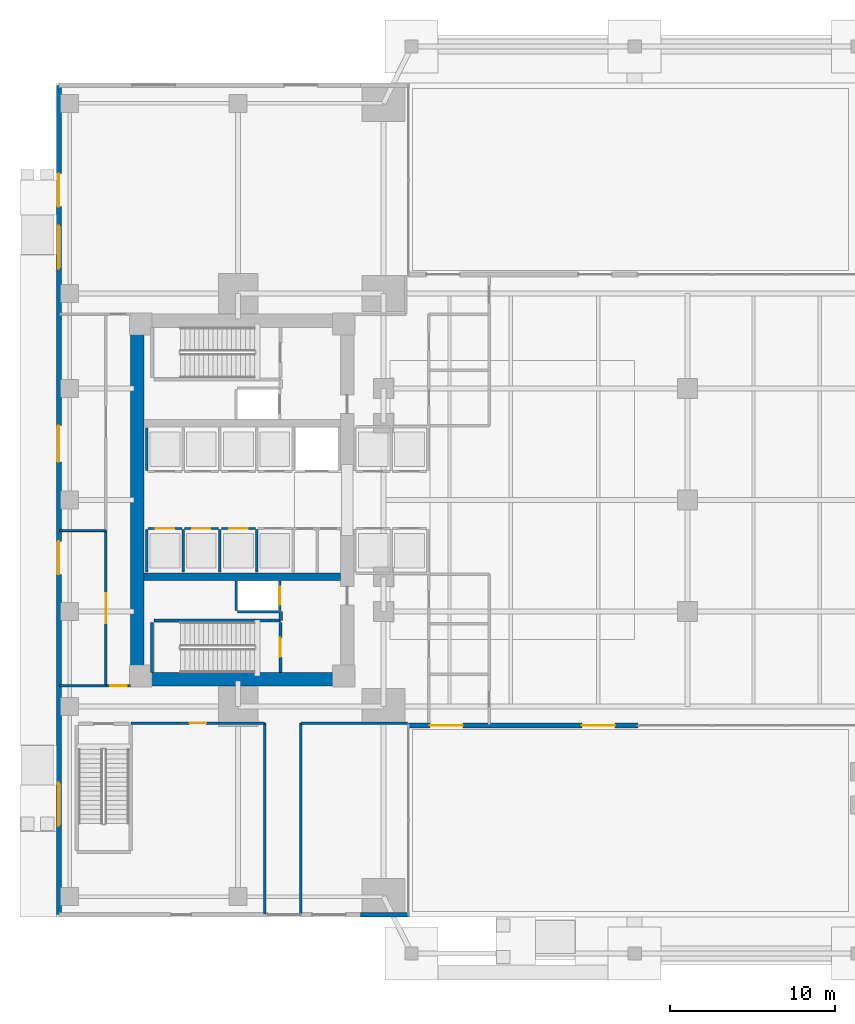
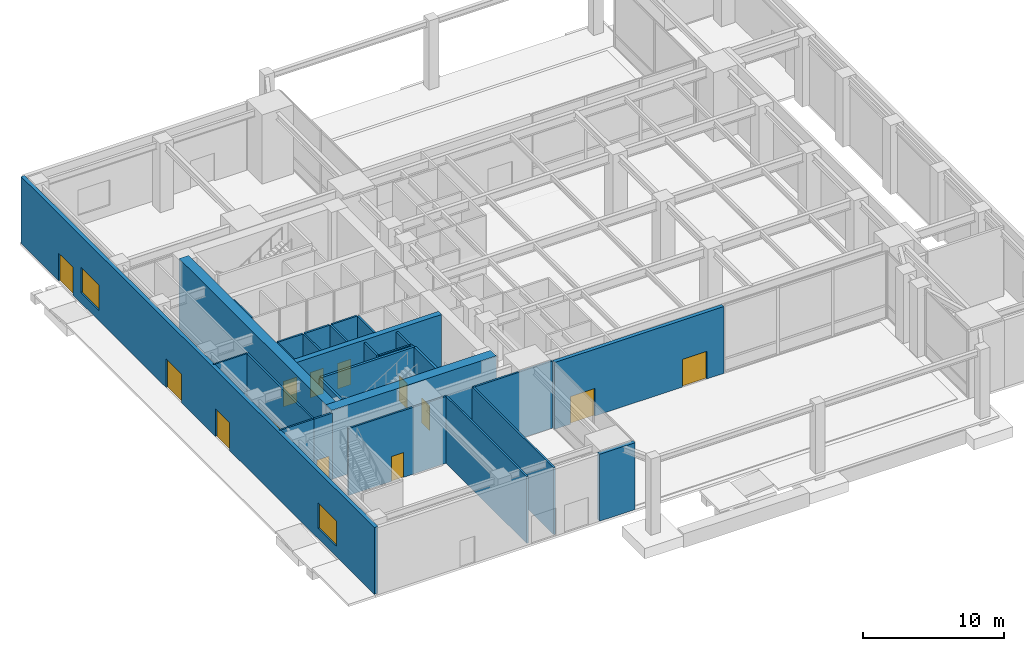
# One storey, part 9 of 17: 29 walls, 13 doors, 2 windows, 15 openings.
"""IFC4 building model written with IfcOpenShell, lengths in metres."""

from ifc_helpers import new_model, si_unit, direction, frame, frame_2d, origin, place, context, subcontext, project, spatial, rectangle, extrude, material, layer, layer_set, type_object, element, fill, save


model = new_model("IFC4")

# Units and contexts
model_context = context("Model", 3, precision=1e-05, world=origin(), true_north=direction((0.0, 1.0)))
body_context = subcontext(model_context, "Body", "Model", "MODEL_VIEW")
ifc_project = project(units=[si_unit("LENGTHUNIT", "METRE"), si_unit("AREAUNIT", "SQUARE_METRE"), si_unit("VOLUMEUNIT", "CUBIC_METRE"), si_unit("PLANEANGLEUNIT", "RADIAN"), si_unit("MASSUNIT", "GRAM", prefix="KILO")], contexts=[model_context])

# Site, building, storey
site_placement = place(None, origin())
site = spatial("IfcSite", under=ifc_project, at=site_placement, CompositionType="ELEMENT")
building_placement = place(site_placement, origin())
building = spatial("IfcBuilding", under=site, at=building_placement, Name="Kinhvarn Gate Tower", CompositionType="ELEMENT")
storey_placement = place(building_placement, origin())
storey = spatial("IfcBuildingStorey", under=building, at=storey_placement, Name="L00", CompositionType="ELEMENT", Elevation=0.0)

# Walls
ifc_material_1 = material(Name="Concrete C50/60", Category="concrete")
ifc_layer_1 = layer(ifc_material_1, 0.449951171875)
ifc_layer_set_1 = layer_set([ifc_layer_1], Name="Concrete C50/60")
wall_type_1 = type_object("IfcWallType", Name="WL-CORE-450", PredefinedType="SHEAR", material=ifc_layer_set_1)
wall_1_placement = place(storey_placement, frame((5.300048828125, 20.60009765625, 0.0), z_axis=(0.0, 0.0, 1.0), x_axis=(1.0, 0.0, 0.0)))
element("IfcWall", 1, at=wall_1_placement, inside=storey, type_object=wall_type_1, Name="Core South Spine Shear Wall L00 450 mm", PredefinedType="SHEAR", context=body_context, shape_type="SweptSolid", body=[
    extrude(rectangle(XDim=11.89990234375, YDim=0.449951171875, at=frame_2d((5.949951171875, 0.0))), origin(), (0.0, 0.0, 1.0), 6.0),
])
ifc_material_2 = material(Name="Concrete C70/85", Category="concrete")
ifc_layer_2 = layer(ifc_material_2, 0.800048828125)
ifc_layer_set_2 = layer_set([ifc_layer_2], Name="Concrete C70/85")
wall_type_2 = type_object("IfcWallType", Name="WL-CORE-800", PredefinedType="SHEAR", material=ifc_layer_set_2)
wall_2_placement = place(storey_placement, frame((4.5, 14.39990234375, 0.0), z_axis=(0.0, 0.0, 1.0), x_axis=(1.0, 0.0, 0.0)))
element("IfcWall", 2, at=wall_2_placement, inside=storey, type_object=wall_type_2, Name="Core South Shear Wall L00 800 mm", PredefinedType="SHEAR", context=body_context, shape_type="SweptSolid", body=[
    extrude(rectangle(XDim=13.5, YDim=0.800048828125, at=frame_2d((6.75, 0.0))), origin(), (0.0, 0.0, 1.0), 6.0),
])
wall_3_placement = place(storey_placement, frame((4.89990234375, 14.800048828125, 0.0), z_axis=(0.0, 0.0, 1.0), x_axis=(0.0, 1.0, 0.0)))
element("IfcWall", 3, at=wall_3_placement, inside=storey, type_object=wall_type_2, Name="Core West Shear Wall L00 800 mm", PredefinedType="SHEAR", context=body_context, shape_type="SweptSolid", body=[
    extrude(rectangle(XDim=20.89990234375, YDim=0.800048828125, at=frame_2d((10.449951171875, 0.0))), origin(), (0.0, 0.0, 1.0), 6.0),
])

# Wall, openings, doors, windows
ifc_material_3 = material(Name="Precast white architectural concrete C40/50", Category="concrete")
ifc_layer_3 = layer(ifc_material_3, 0.300048828125)
ifc_layer_set_3 = layer_set([ifc_layer_3], Name="Precast white architectural concrete C40/50")
wall_type_3 = type_object("IfcWallType", Name="WL-EXT-300", PredefinedType="SOLIDWALL", material=ifc_layer_set_3)
wall_4_placement = place(storey_placement, frame((0.14990234375, 50.35009765625, 0.0), z_axis=(0.0, 0.0, 1.0), x_axis=(0.0, -1.0, 0.0)))
wall_4 = element("IfcWall", 4, at=wall_4_placement, inside=storey, type_object=wall_type_3, Name="Exterior Solidwall Wall EW-300 (L00 West)", PredefinedType="SOLIDWALL", context=body_context, shape_type="SweptSolid", body=[
    extrude(rectangle(XDim=50.2001953125, YDim=0.300048828125, at=frame_2d((25.10009765625, 0.0))), origin(), (0.0, 0.0, 1.0), 5.800048828125),
])
opening_1_placement = place(wall_4_placement, frame((5.35009765625, 0.0, 0.0)))
opening_1 = element("IfcOpeningElement", 5, at=opening_1_placement, cuts=wall_4, Name="Opening ED-01", PredefinedType="OPENING", context=body_context, shape_type="SweptSolid", body=[
    extrude(rectangle(XDim=2.0, YDim=2.39990234375, at=frame_2d((1.0, 1.199951171875))), frame((0.0, 0.16015625, 0.0), z_axis=(0.0, -1.0, 0.0), x_axis=(1.0, 0.0, 0.0)), (0.0, 0.0, 1.0), 0.320068359375),
])
opening_2_placement = place(wall_4_placement, frame((20.60009765625, 0.0, 0.0)))
opening_2 = element("IfcOpeningElement", 6, at=opening_2_placement, cuts=wall_4, Name="Opening ED-02", PredefinedType="OPENING", context=body_context, shape_type="SweptSolid", body=[
    extrude(rectangle(XDim=2.199951171875, YDim=2.5, at=frame_2d((1.10009765625, 1.25))), frame((0.0, 0.16015625, 0.0), z_axis=(0.0, -1.0, 0.0), x_axis=(1.0, 0.0, 0.0)), (0.0, 0.0, 1.0), 0.320068359375),
])
opening_3_placement = place(wall_4_placement, frame((27.60009765625, 0.0, 0.0)))
opening_3 = element("IfcOpeningElement", 7, at=opening_3_placement, cuts=wall_4, Name="Opening ED-01", PredefinedType="OPENING", context=body_context, shape_type="SweptSolid", body=[
    extrude(rectangle(XDim=2.0, YDim=2.39990234375, at=frame_2d((1.0, 1.199951171875))), frame((0.0, 0.16015625, 0.0), z_axis=(0.0, -1.0, 0.0), x_axis=(1.0, 0.0, 0.0)), (0.0, 0.0, 1.0), 0.320068359375),
])
opening_4_placement = place(wall_4_placement, frame((8.5, 0.0, 0.89990234375)))
opening_4 = element("IfcOpeningElement", 8, at=opening_4_placement, cuts=wall_4, Name="Opening WN-03", PredefinedType="OPENING", context=body_context, shape_type="SweptSolid", body=[
    extrude(rectangle(XDim=2.60009765625, YDim=2.199951171875, at=frame_2d((1.300048828125, 1.10009765625))), frame((0.0, 0.16015625, 0.0), z_axis=(0.0, -1.0, 0.0), x_axis=(1.0, 0.0, 0.0)), (0.0, 0.0, 1.0), 0.320068359375),
])
opening_5_placement = place(wall_4_placement, frame((42.199951171875, 0.0, 0.89990234375)))
opening_5 = element("IfcOpeningElement", 9, at=opening_5_placement, cuts=wall_4, Name="Opening WN-03", PredefinedType="OPENING", context=body_context, shape_type="SweptSolid", body=[
    extrude(rectangle(XDim=2.60009765625, YDim=2.199951171875, at=frame_2d((1.300048828125, 1.10009765625))), frame((0.0, 0.16015625, 0.0), z_axis=(0.0, -1.0, 0.0), x_axis=(1.0, 0.0, 0.0)), (0.0, 0.0, 1.0), 0.320068359375),
])
ifc_material_4 = material(Name="Anodised aluminium AW-6063", Category="aluminium")
door_type_1 = type_object("IfcDoorType", Name="DR-EXT-EXIT", OperationType="NOTDEFINED", PredefinedType="DOOR", material=ifc_material_4)
door_1_placement = place(opening_1_placement, frame((2.0, 0.0, 0.0), z_axis=(0.0, 0.0, 1.0), x_axis=(-1.0, 0.0, 0.0)))
door_1 = element("IfcDoor", 10, at=door_1_placement, inside=storey, type_object=door_type_1, Name="Final Exit Door NW Retail", OperationType="DOUBLE_DOOR_SINGLE_SWING", OverallHeight=2.39990234375, OverallWidth=2.0, PredefinedType="DOOR", context=body_context, shape_type="SweptSolid", body=[
    extrude(rectangle(XDim=2.0, YDim=2.39990234375, at=frame_2d((1.0, 1.199951171875))), frame((0.0, 0.02490234375, 0.0), z_axis=(0.0, -1.0, 0.0), x_axis=(1.0, 0.0, 0.0)), (0.0, 0.0, 1.0), 0.050048828125),
])
fill(opening_1, door_1)
door_2_placement = place(opening_3_placement, frame((2.0, 0.0, 0.0), z_axis=(0.0, 0.0, 1.0), x_axis=(-1.0, 0.0, 0.0)))
door_2 = element("IfcDoor", 11, at=door_2_placement, inside=storey, type_object=door_type_1, Name="Final Exit Discharge Door West Gallery", OperationType="DOUBLE_DOOR_SINGLE_SWING", OverallHeight=2.39990234375, OverallWidth=2.0, PredefinedType="DOOR", context=body_context, shape_type="SweptSolid", body=[
    extrude(rectangle(XDim=2.0, YDim=2.39990234375, at=frame_2d((1.0, 1.199951171875))), frame((0.0, 0.02490234375, 0.0), z_axis=(0.0, -1.0, 0.0), x_axis=(1.0, 0.0, 0.0)), (0.0, 0.0, 1.0), 0.050048828125),
])
fill(opening_3, door_2)
ifc_material_5 = material(Name="Clear low-e double glazing", Category="glass")
door_type_2 = type_object("IfcDoorType", Name="DR-EXT-MAIN", OperationType="NOTDEFINED", PredefinedType="DOOR", material=ifc_material_5)
door_3_placement = place(opening_2_placement, frame((2.199951171875, 0.0, 0.0), z_axis=(0.0, 0.0, 1.0), x_axis=(-1.0, 0.0, 0.0)))
door_3 = element("IfcDoor", 12, at=door_3_placement, inside=storey, type_object=door_type_2, Name="West Forecourt Main Entrance Door", OperationType="DOUBLE_DOOR_SINGLE_SWING", OverallHeight=2.5, OverallWidth=2.199951171875, PredefinedType="DOOR", context=body_context, shape_type="SweptSolid", body=[
    extrude(rectangle(XDim=2.199951171875, YDim=2.5, at=frame_2d((1.10009765625, 1.25))), frame((0.0, 0.02490234375, 0.0), z_axis=(0.0, -1.0, 0.0), x_axis=(1.0, 0.0, 0.0)), (0.0, 0.0, 1.0), 0.050048828125),
])
fill(opening_2, door_3)
window_type = type_object("IfcWindowType", Name="WIN-POD-2600", PartitioningType="SINGLE_PANEL", PredefinedType="WINDOW", material=ifc_material_5)
window_1_placement = place(opening_4_placement, origin())
window_1 = element("IfcWindow", 13, at=window_1_placement, inside=storey, type_object=window_type, Name="Podium Gallery Punched Window 2600x2200 mm (L00)", OverallHeight=2.199951171875, OverallWidth=2.60009765625, PartitioningType="SINGLE_PANEL", PredefinedType="WINDOW", context=body_context, shape_type="SweptSolid", body=[
    extrude(rectangle(XDim=2.60009765625, YDim=2.199951171875, at=frame_2d((1.300048828125, 1.10009765625))), frame((0.0, 0.030029296875, 0.0), z_axis=(0.0, -1.0, 0.0), x_axis=(1.0, 0.0, 0.0)), (0.0, 0.0, 1.0), 0.06005859375),
])
fill(opening_4, window_1)
window_2_placement = place(opening_5_placement, origin())
window_2 = element("IfcWindow", 14, at=window_2_placement, inside=storey, type_object=window_type, Name="Podium Gallery Punched Window 2600x2200 mm (L00)", OverallHeight=2.199951171875, OverallWidth=2.60009765625, PartitioningType="SINGLE_PANEL", PredefinedType="WINDOW", context=body_context, shape_type="SweptSolid", body=[
    extrude(rectangle(XDim=2.60009765625, YDim=2.199951171875, at=frame_2d((1.300048828125, 1.10009765625))), frame((0.0, 0.030029296875, 0.0), z_axis=(0.0, -1.0, 0.0), x_axis=(1.0, 0.0, 0.0)), (0.0, 0.0, 1.0), 0.06005859375),
])
fill(opening_5, window_2)

# Wall
wall_5_placement = place(storey_placement, frame((18.39990234375, 0.14990234375, 0.0), z_axis=(0.0, 0.0, 1.0), x_axis=(1.0, 0.0, 0.0)))
element("IfcWall", 15, at=wall_5_placement, inside=storey, type_object=wall_type_3, Name="Exterior Solidwall Wall EW-300 (L00 Arch-SW-Return)", PredefinedType="SOLIDWALL", context=body_context, shape_type="SweptSolid", body=[
    extrude(rectangle(XDim=2.91015625, YDim=0.300048828125, at=frame_2d((1.455078125, 0.0))), origin(), (0.0, 0.0, 1.0), 5.800048828125),
])

# Wall, openings, doors
wall_6_placement = place(storey_placement, frame((21.31005859375, 11.60009765625, 0.0), z_axis=(0.0, 0.0, 1.0), x_axis=(1.0, 0.0, 0.0)))
wall_6 = element("IfcWall", 16, at=wall_6_placement, inside=storey, type_object=wall_type_3, Name="Exterior Solidwall Wall EW-300 (L00 Arch-Concourse-South-Portal)", PredefinedType="SOLIDWALL", context=body_context, shape_type="SweptSolid", body=[
    extrude(rectangle(XDim=13.889892578125, YDim=0.300048828125, at=frame_2d((6.94482421875, 0.0))), origin(), (0.0, 0.0, 1.0), 5.800048828125),
])
opening_6_placement = place(wall_6_placement, frame((1.300048828125, 0.0, 0.0)))
opening_6 = element("IfcOpeningElement", 17, at=opening_6_placement, cuts=wall_6, Name="Opening ED-01", PredefinedType="OPENING", context=body_context, shape_type="SweptSolid", body=[
    extrude(rectangle(XDim=2.0, YDim=2.39990234375, at=frame_2d((1.0, 1.199951171875))), frame((0.0, 0.16015625, 0.0), z_axis=(0.0, -1.0, 0.0), x_axis=(1.0, 0.0, 0.0)), (0.0, 0.0, 1.0), 0.320068359375),
])
opening_7_placement = place(wall_6_placement, frame((10.5, 0.0, 0.0)))
opening_7 = element("IfcOpeningElement", 18, at=opening_7_placement, cuts=wall_6, Name="Opening ED-01", PredefinedType="OPENING", context=body_context, shape_type="SweptSolid", body=[
    extrude(rectangle(XDim=2.0, YDim=2.39990234375, at=frame_2d((1.0, 1.199951171875))), frame((0.0, 0.16015625, 0.0), z_axis=(0.0, -1.0, 0.0), x_axis=(1.0, 0.0, 0.0)), (0.0, 0.0, 1.0), 0.320068359375),
])
door_4_placement = place(opening_6_placement, frame((2.0, 0.0, 0.0), z_axis=(0.0, 0.0, 1.0), x_axis=(-1.0, 0.0, 0.0)))
door_4 = element("IfcDoor", 19, at=door_4_placement, inside=storey, type_object=door_type_1, Name="Final Exit Discharge Door Concourse South-1", OperationType="DOUBLE_DOOR_SINGLE_SWING", OverallHeight=2.39990234375, OverallWidth=2.0, PredefinedType="DOOR", context=body_context, shape_type="SweptSolid", body=[
    extrude(rectangle(XDim=2.0, YDim=2.39990234375, at=frame_2d((1.0, 1.199951171875))), frame((0.0, 0.02490234375, 0.0), z_axis=(0.0, -1.0, 0.0), x_axis=(1.0, 0.0, 0.0)), (0.0, 0.0, 1.0), 0.050048828125),
])
fill(opening_6, door_4)
door_5_placement = place(opening_7_placement, frame((2.0, 0.0, 0.0), z_axis=(0.0, 0.0, 1.0), x_axis=(-1.0, 0.0, 0.0)))
door_5 = element("IfcDoor", 20, at=door_5_placement, inside=storey, type_object=door_type_1, Name="Final Exit Discharge Door Concourse South-2", OperationType="DOUBLE_DOOR_SINGLE_SWING", OverallHeight=2.39990234375, OverallWidth=2.0, PredefinedType="DOOR", context=body_context, shape_type="SweptSolid", body=[
    extrude(rectangle(XDim=2.0, YDim=2.39990234375, at=frame_2d((1.0, 1.199951171875))), frame((0.0, 0.02490234375, 0.0), z_axis=(0.0, -1.0, 0.0), x_axis=(1.0, 0.0, 0.0)), (0.0, 0.0, 1.0), 0.050048828125),
])
fill(opening_7, door_5)

# Wall
ifc_material_6 = material(Name="Gypsum acoustic partition board")
ifc_layer_4 = layer(ifc_material_6, 0.1201171875)
ifc_layer_set_4 = layer_set([ifc_layer_4], Name="Gypsum acoustic partition board")
wall_type_4 = type_object("IfcWallType", Name="WL-PRT-120", PredefinedType="PARTITIONING", material=ifc_layer_set_4)
wall_7_placement = place(storey_placement, frame((0.199951171875, 23.39990234375, 0.0), z_axis=(0.0, 0.0, 1.0), x_axis=(1.0, 0.0, 0.0)))
element("IfcWall", 21, at=wall_7_placement, inside=storey, type_object=wall_type_4, Name="Interior Partition PW-120 (L00)", PredefinedType="PARTITIONING", context=body_context, shape_type="SweptSolid", body=[
    extrude(rectangle(XDim=2.800048828125, YDim=0.1201171875, at=frame_2d((1.39990234375, 0.0))), origin(), (0.0, 0.0, 1.0), 5.800048828125),
])

# Wall, opening, door
ifc_layer_5 = layer(ifc_material_6, 0.14990234375)
ifc_layer_set_5 = layer_set([ifc_layer_5], Name="Gypsum acoustic partition board")
wall_type_5 = type_object("IfcWallType", Name="WL-PRT-150F", PredefinedType="PARTITIONING", material=ifc_layer_set_5)
wall_8_placement = place(storey_placement, frame((3.0, 14.0, 0.0), z_axis=(0.0, 0.0, 1.0), x_axis=(1.0, 0.0, 0.0)))
wall_8 = element("IfcWall", 22, at=wall_8_placement, inside=storey, type_object=wall_type_5, Name="Interior Partition PW-150F (L00)", PredefinedType="PARTITIONING", context=body_context, shape_type="SweptSolid", body=[
    extrude(rectangle(XDim=1.5, YDim=0.14990234375, at=frame_2d((0.75, 0.0))), origin(), (0.0, 0.0, 1.0), 5.800048828125),
])
opening_8_placement = place(wall_8_placement, frame((0.25, 0.0, 0.0)))
opening_8 = element("IfcOpeningElement", 23, at=opening_8_placement, cuts=wall_8, Name="Opening FD-03", PredefinedType="OPENING", context=body_context, shape_type="SweptSolid", body=[
    extrude(rectangle(XDim=1.0, YDim=2.14990234375, at=frame_2d((0.5, 1.074951171875))), frame((0.0, 0.0849609375, 0.0), z_axis=(0.0, -1.0, 0.0), x_axis=(1.0, 0.0, 0.0)), (0.0, 0.0, 1.0), 0.169921875),
])
door_type_3 = type_object("IfcDoorType", Name="DR-FD-1000", OperationType="NOTDEFINED", PredefinedType="DOOR", material=ifc_material_4)
door_6_placement = place(opening_8_placement, origin())
door_6 = element("IfcDoor", 24, at=door_6_placement, inside=storey, type_object=door_type_3, Name="Rated Plant & Corridor Fire Door 1000x2150 mm (L00)", OperationType="SINGLE_SWING_LEFT", OverallHeight=2.14990234375, OverallWidth=1.0, PredefinedType="DOOR", context=body_context, shape_type="SweptSolid", body=[
    extrude(rectangle(XDim=1.0, YDim=2.14990234375, at=frame_2d((0.5, 1.074951171875))), frame((0.0, 0.02490234375, 0.0), z_axis=(0.0, -1.0, 0.0), x_axis=(1.0, 0.0, 0.0)), (0.0, 0.0, 1.0), 0.050048828125),
])
fill(opening_8, door_6)

wall_9_placement = place(storey_placement, frame((4.52001953125, 11.75, 0.0), z_axis=(0.0, 0.0, 1.0), x_axis=(1.0, 0.0, 0.0)))
wall_9 = element("IfcWall", 25, at=wall_9_placement, inside=storey, type_object=wall_type_5, Name="Interior Partition PW-150F (L00)", PredefinedType="PARTITIONING", context=body_context, shape_type="SweptSolid", body=[
    extrude(rectangle(XDim=8.080078125, YDim=0.14990234375, at=frame_2d((4.0400390625, 0.0))), origin(), (0.0, 0.0, 1.0), 5.800048828125),
])
opening_9_placement = place(wall_9_placement, frame((3.5400390625, 0.0, 0.0)))
opening_9 = element("IfcOpeningElement", 26, at=opening_9_placement, cuts=wall_9, Name="Opening ID-02", PredefinedType="OPENING", context=body_context, shape_type="SweptSolid", body=[
    extrude(rectangle(XDim=1.0, YDim=2.14990234375, at=frame_2d((0.5, 1.074951171875))), frame((0.0, 0.0849609375, 0.0), z_axis=(0.0, -1.0, 0.0), x_axis=(1.0, 0.0, 0.0)), (0.0, 0.0, 1.0), 0.169921875),
])
door_type_4 = type_object("IfcDoorType", Name="DR-INT-1000", OperationType="NOTDEFINED", PredefinedType="DOOR", material=ifc_material_4)
door_7_placement = place(opening_9_placement, origin())
door_7 = element("IfcDoor", 27, at=door_7_placement, inside=storey, type_object=door_type_4, Name="Standard Office & Meeting Room Door 1000x2150 mm (L00)", OperationType="SINGLE_SWING_RIGHT", OverallHeight=2.14990234375, OverallWidth=1.0, PredefinedType="DOOR", context=body_context, shape_type="SweptSolid", body=[
    extrude(rectangle(XDim=1.0, YDim=2.14990234375, at=frame_2d((0.5, 1.074951171875))), frame((0.0, 0.02490234375, 0.0), z_axis=(0.0, -1.0, 0.0), x_axis=(1.0, 0.0, 0.0)), (0.0, 0.0, 1.0), 0.050048828125),
])
fill(opening_9, door_7)

# Walls
wall_10_placement = place(storey_placement, frame((14.800048828125, 11.75, 0.0), z_axis=(0.0, 0.0, 1.0), x_axis=(1.0, 0.0, 0.0)))
element("IfcWall", 28, at=wall_10_placement, inside=storey, type_object=wall_type_5, Name="Interior Partition PW-150F (L00)", PredefinedType="PARTITIONING", context=body_context, shape_type="SweptSolid", body=[
    extrude(rectangle(XDim=6.449951171875, YDim=0.14990234375, at=frame_2d((3.22509765625, 0.0))), origin(), (0.0, 0.0, 1.0), 5.800048828125),
])
wall_11_placement = place(storey_placement, frame((0.199951171875, 14.0, 0.0), z_axis=(0.0, 0.0, 1.0), x_axis=(1.0, 0.0, 0.0)))
element("IfcWall", 29, at=wall_11_placement, inside=storey, type_object=wall_type_5, Name="Interior Partition PW-150F (L00)", PredefinedType="PARTITIONING", context=body_context, shape_type="SweptSolid", body=[
    extrude(rectangle(XDim=2.800048828125, YDim=0.14990234375, at=frame_2d((1.39990234375, 0.0))), origin(), (0.0, 0.0, 1.0), 5.800048828125),
])
for number, where, z_axis, x_axis, name in (
    (30, (12.60009765625, 0.199951171875, 0.0), (0.0, 0.0, 1.0), (0.0, 1.0, 0.0), "Interior Partition PW-150F (L00)"),
    (31, (14.800048828125, 0.199951171875, 0.0), (0.0, 0.0, 1.0), (0.0, 1.0, 0.0), "Interior Partition PW-150F (L00)"),
):
    element("IfcWall", number, at=place(storey_placement, frame(where, z_axis=z_axis, x_axis=x_axis)), inside=storey, type_object=wall_type_5, Name=name, PredefinedType="PARTITIONING", context=body_context, shape_type="SweptSolid", body=[
        extrude(rectangle(XDim=11.550048828125, YDim=0.14990234375, at=frame_2d((5.77490234375, 0.0))), origin(), (0.0, 0.0, 1.0), 5.800048828125),
    ])

# Wall, opening, door
wall_12_placement = place(storey_placement, frame((3.0, 14.0, 0.0), z_axis=(0.0, 0.0, 1.0), x_axis=(0.0, 1.0, 0.0)))
wall_12 = element("IfcWall", 32, at=wall_12_placement, inside=storey, type_object=wall_type_5, Name="Interior Partition PW-150F (L00)", PredefinedType="PARTITIONING", context=body_context, shape_type="SweptSolid", body=[
    extrude(rectangle(XDim=9.39990234375, YDim=0.14990234375, at=frame_2d((4.699951171875, 0.0))), origin(), (0.0, 0.0, 1.0), 5.800048828125),
])
opening_10_placement = place(wall_12_placement, frame((3.800048828125, 0.0, 0.0)))
opening_10 = element("IfcOpeningElement", 33, at=opening_10_placement, cuts=wall_12, Name="Opening ID-04", PredefinedType="OPENING", context=body_context, shape_type="SweptSolid", body=[
    extrude(rectangle(XDim=1.800048828125, YDim=2.199951171875, at=frame_2d((0.89990234375, 1.10009765625))), frame((0.0, 0.0849609375, 0.0), z_axis=(0.0, -1.0, 0.0), x_axis=(1.0, 0.0, 0.0)), (0.0, 0.0, 1.0), 0.169921875),
])
door_type_5 = type_object("IfcDoorType", Name="DR-GLZ-1800", OperationType="NOTDEFINED", PredefinedType="DOOR", material=ifc_material_5)
door_8_placement = place(opening_10_placement, origin())
door_8 = element("IfcDoor", 34, at=door_8_placement, inside=storey, type_object=door_type_5, Name="Double Glazed Forum & Sky-Lobby Door 1800x2200 mm (L00)", OperationType="DOUBLE_DOOR_SINGLE_SWING", OverallHeight=2.199951171875, OverallWidth=1.800048828125, PredefinedType="DOOR", context=body_context, shape_type="SweptSolid", body=[
    extrude(rectangle(XDim=1.800048828125, YDim=2.199951171875, at=frame_2d((0.89990234375, 1.10009765625))), frame((0.0, 0.02490234375, 0.0), z_axis=(0.0, -1.0, 0.0), x_axis=(1.0, 0.0, 0.0)), (0.0, 0.0, 1.0), 0.050048828125),
])
fill(opening_10, door_8)

# Wall
ifc_layer_6 = layer(ifc_material_6, 0.199951171875)
ifc_layer_set_6 = layer_set([ifc_layer_6], Name="Gypsum acoustic partition board")
wall_type_6 = type_object("IfcWallType", Name="WL-PRT-200", PredefinedType="PARTITIONING", material=ifc_layer_set_6)
wall_13_placement = place(storey_placement, frame((13.580078125, 17.9599609375, 0.0), z_axis=(0.0, 0.0, 1.0), x_axis=(0.0, 1.0, 0.0)))
element("IfcWall", 35, at=wall_13_placement, inside=storey, type_object=wall_type_6, Name="Interior Partition PW-200 (L00)", PredefinedType="PARTITIONING", context=body_context, shape_type="SweptSolid", body=[
    extrude(rectangle(XDim=0.5400390625, YDim=0.199951171875, at=frame_2d((0.27001953125, 0.0))), origin(), (0.0, 0.0, 1.0), 5.800048828125),
])

# Wall, opening, door
ifc_layer_7 = layer(ifc_material_6, 0.14990234375)
ifc_layer_set_7 = layer_set([ifc_layer_7], Name="Gypsum acoustic partition board")
wall_type_7 = type_object("IfcWallType", Name="WL-SHF-150", PredefinedType="PARTITIONING", material=ifc_layer_set_7)
wall_14_placement = place(storey_placement, frame((5.550048828125, 23.52490234375, 0.0), z_axis=(0.0, 0.0, 1.0), x_axis=(1.0, 0.0, 0.0)))
wall_14 = element("IfcWall", 36, at=wall_14_placement, inside=storey, type_object=wall_type_7, Name="Elevator PM-05 Landing Wall (L00)", PredefinedType="PARTITIONING", context=body_context, shape_type="SweptSolid", body=[
    extrude(rectangle(XDim=2.050048828125, YDim=0.14990234375, at=frame_2d((1.02490234375, 0.0))), origin(), (0.0, 0.0, 1.0), 5.800048828125),
])
opening_11_placement = place(wall_14_placement, frame((0.47509765625, 0.0, 0.0)))
opening_11 = element("IfcOpeningElement", 37, at=opening_11_placement, cuts=wall_14, Name="Opening LD-01", PredefinedType="OPENING", context=body_context, shape_type="SweptSolid", body=[
    extrude(rectangle(XDim=1.10009765625, YDim=2.199951171875, at=frame_2d((0.550048828125, 1.10009765625))), frame((0.0, 0.0849609375, 0.0), z_axis=(0.0, -1.0, 0.0), x_axis=(1.0, 0.0, 0.0)), (0.0, 0.0, 1.0), 0.169921875),
])
door_type_6 = type_object("IfcDoorType", Name="DR-LND-PAS", OperationType="NOTDEFINED", PredefinedType="DOOR", material=ifc_material_4)
door_9_placement = place(opening_11_placement, origin())
door_9 = element("IfcDoor", 38, at=door_9_placement, inside=storey, type_object=door_type_6, Name="Elevator PM-05 Sliding Landing Door (L00)", OperationType="DOUBLE_DOOR_SLIDING", OverallHeight=2.199951171875, OverallWidth=1.10009765625, PredefinedType="DOOR", context=body_context, shape_type="SweptSolid", body=[
    extrude(rectangle(XDim=1.10009765625, YDim=2.199951171875, at=frame_2d((0.550048828125, 1.10009765625))), frame((0.0, 0.02490234375, 0.0), z_axis=(0.0, -1.0, 0.0), x_axis=(1.0, 0.0, 0.0)), (0.0, 0.0, 1.0), 0.050048828125),
])
fill(opening_11, door_9)

# Walls
for number, where, z_axis, x_axis, name in (
    (39, (5.47509765625, 20.89990234375, 0.0), (0.0, 0.0, 1.0), (0.0, 1.0, 0.0), "Elevator PM-05 Hoistway Wall W (L00)"),
    (40, (7.675048828125, 20.89990234375, 0.0), (0.0, 0.0, 1.0), (0.0, 1.0, 0.0), "Elevator PM-05 Hoistway Wall E (L00)"),
):
    element("IfcWall", number, at=place(storey_placement, frame(where, z_axis=z_axis, x_axis=x_axis)), inside=storey, type_object=wall_type_7, Name=name, PredefinedType="PARTITIONING", context=body_context, shape_type="SweptSolid", body=[
        extrude(rectangle(XDim=2.550048828125, YDim=0.14990234375, at=frame_2d((1.27490234375, 0.0))), origin(), (0.0, 0.0, 1.0), 5.800048828125),
    ])

# Wall, opening, door
wall_15_placement = place(storey_placement, frame((7.75, 23.52490234375, 0.0), z_axis=(0.0, 0.0, 1.0), x_axis=(1.0, 0.0, 0.0)))
wall_15 = element("IfcWall", 41, at=wall_15_placement, inside=storey, type_object=wall_type_7, Name="Elevator PM-06 Landing Wall (L00)", PredefinedType="PARTITIONING", context=body_context, shape_type="SweptSolid", body=[
    extrude(rectangle(XDim=2.050048828125, YDim=0.14990234375, at=frame_2d((1.02490234375, 0.0))), origin(), (0.0, 0.0, 1.0), 5.800048828125),
])
opening_12_placement = place(wall_15_placement, frame((0.47509765625, 0.0, 0.0)))
opening_12 = element("IfcOpeningElement", 42, at=opening_12_placement, cuts=wall_15, Name="Opening LD-01", PredefinedType="OPENING", context=body_context, shape_type="SweptSolid", body=[
    extrude(rectangle(XDim=1.10009765625, YDim=2.199951171875, at=frame_2d((0.550048828125, 1.10009765625))), frame((0.0, 0.0849609375, 0.0), z_axis=(0.0, -1.0, 0.0), x_axis=(1.0, 0.0, 0.0)), (0.0, 0.0, 1.0), 0.169921875),
])
door_10_placement = place(opening_12_placement, origin())
door_10 = element("IfcDoor", 43, at=door_10_placement, inside=storey, type_object=door_type_6, Name="Elevator PM-06 Sliding Landing Door (L00)", OperationType="DOUBLE_DOOR_SLIDING", OverallHeight=2.199951171875, OverallWidth=1.10009765625, PredefinedType="DOOR", context=body_context, shape_type="SweptSolid", body=[
    extrude(rectangle(XDim=1.10009765625, YDim=2.199951171875, at=frame_2d((0.550048828125, 1.10009765625))), frame((0.0, 0.02490234375, 0.0), z_axis=(0.0, -1.0, 0.0), x_axis=(1.0, 0.0, 0.0)), (0.0, 0.0, 1.0), 0.050048828125),
])
fill(opening_12, door_10)

# Walls
for number, where, z_axis, x_axis, name in (
    (44, (9.875, 20.89990234375, 0.0), (0.0, 0.0, 1.0), (0.0, 1.0, 0.0), "Elevator PM-06 Hoistway Wall E (L00)"),
    (45, (5.47509765625, 27.050048828125, 0.0), (0.0, 0.0, 1.0), (0.0, 1.0, 0.0), "Elevator PM-07 Hoistway Wall W (L00)"),
):
    element("IfcWall", number, at=place(storey_placement, frame(where, z_axis=z_axis, x_axis=x_axis)), inside=storey, type_object=wall_type_7, Name=name, PredefinedType="PARTITIONING", context=body_context, shape_type="SweptSolid", body=[
        extrude(rectangle(XDim=2.550048828125, YDim=0.14990234375, at=frame_2d((1.27490234375, 0.0))), origin(), (0.0, 0.0, 1.0), 5.800048828125),
    ])

# Wall, opening, door
wall_16_placement = place(storey_placement, frame((10.0, 23.52490234375, 0.0), z_axis=(0.0, 0.0, 1.0), x_axis=(1.0, 0.0, 0.0)))
wall_16 = element("IfcWall", 46, at=wall_16_placement, inside=storey, type_object=wall_type_7, Name="Elevator PH-09 Landing Wall (L00)", PredefinedType="PARTITIONING", context=body_context, shape_type="SweptSolid", body=[
    extrude(rectangle(XDim=2.050048828125, YDim=0.14990234375, at=frame_2d((1.02490234375, 0.0))), origin(), (0.0, 0.0, 1.0), 5.800048828125),
])
opening_13_placement = place(wall_16_placement, frame((0.47509765625, 0.0, 0.0)))
opening_13 = element("IfcOpeningElement", 47, at=opening_13_placement, cuts=wall_16, Name="Opening LD-01", PredefinedType="OPENING", context=body_context, shape_type="SweptSolid", body=[
    extrude(rectangle(XDim=1.10009765625, YDim=2.199951171875, at=frame_2d((0.550048828125, 1.10009765625))), frame((0.0, 0.0849609375, 0.0), z_axis=(0.0, -1.0, 0.0), x_axis=(1.0, 0.0, 0.0)), (0.0, 0.0, 1.0), 0.169921875),
])
door_11_placement = place(opening_13_placement, origin())
door_11 = element("IfcDoor", 48, at=door_11_placement, inside=storey, type_object=door_type_6, Name="Elevator PH-09 Sliding Landing Door (L00)", OperationType="DOUBLE_DOOR_SLIDING", OverallHeight=2.199951171875, OverallWidth=1.10009765625, PredefinedType="DOOR", context=body_context, shape_type="SweptSolid", body=[
    extrude(rectangle(XDim=1.10009765625, YDim=2.199951171875, at=frame_2d((0.550048828125, 1.10009765625))), frame((0.0, 0.02490234375, 0.0), z_axis=(0.0, -1.0, 0.0), x_axis=(1.0, 0.0, 0.0)), (0.0, 0.0, 1.0), 0.050048828125),
])
fill(opening_13, door_11)

# Walls
wall_17_placement = place(storey_placement, frame((12.125, 20.89990234375, 0.0), z_axis=(0.0, 0.0, 1.0), x_axis=(0.0, 1.0, 0.0)))
element("IfcWall", 49, at=wall_17_placement, inside=storey, type_object=wall_type_7, Name="Elevator PH-09 Hoistway Wall E (L00)", PredefinedType="PARTITIONING", context=body_context, shape_type="SweptSolid", body=[
    extrude(rectangle(XDim=2.550048828125, YDim=0.14990234375, at=frame_2d((1.27490234375, 0.0))), origin(), (0.0, 0.0, 1.0), 5.800048828125),
])
wall_18_placement = place(storey_placement, frame((10.949951171875, 18.47509765625, 0.0), z_axis=(0.0, 0.0, 1.0), x_axis=(1.0, 0.0, 0.0)))
element("IfcWall", 50, at=wall_18_placement, inside=storey, type_object=wall_type_7, Name="Elevator FF1 Hoistway Wall S (L00)", PredefinedType="PARTITIONING", context=body_context, shape_type="SweptSolid", body=[
    extrude(rectangle(XDim=2.5, YDim=0.14990234375, at=frame_2d((1.25, 0.0))), origin(), (0.0, 0.0, 1.0), 5.800048828125),
])
wall_19_placement = place(storey_placement, frame((10.875, 18.550048828125, 0.0), z_axis=(0.0, 0.0, 1.0), x_axis=(0.0, 1.0, 0.0)))
element("IfcWall", 51, at=wall_19_placement, inside=storey, type_object=wall_type_7, Name="Elevator FF1 Hoistway Wall W (L00)", PredefinedType="PARTITIONING", context=body_context, shape_type="SweptSolid", body=[
    extrude(rectangle(XDim=1.800048828125, YDim=0.14990234375, at=frame_2d((0.89990234375, 0.0))), origin(), (0.0, 0.0, 1.0), 5.800048828125),
])

# Wall, opening, door
wall_20_placement = place(storey_placement, frame((13.52490234375, 18.550048828125, 0.0), z_axis=(0.0, 0.0, 1.0), x_axis=(0.0, 1.0, 0.0)))
wall_20 = element("IfcWall", 52, at=wall_20_placement, inside=storey, type_object=wall_type_7, Name="Elevator FF1 Landing Wall (L00)", PredefinedType="PARTITIONING", context=body_context, shape_type="SweptSolid", body=[
    extrude(rectangle(XDim=1.800048828125, YDim=0.14990234375, at=frame_2d((0.89990234375, 0.0))), origin(), (0.0, 0.0, 1.0), 5.800048828125),
])
opening_14_placement = place(wall_20_placement, frame((0.35009765625, 0.0, 0.0)))
opening_14 = element("IfcOpeningElement", 53, at=opening_14_placement, cuts=wall_20, Name="Opening LD-03", PredefinedType="OPENING", context=body_context, shape_type="SweptSolid", body=[
    extrude(rectangle(XDim=1.10009765625, YDim=2.199951171875, at=frame_2d((0.550048828125, 1.10009765625))), frame((0.0, 0.0849609375, 0.0), z_axis=(0.0, -1.0, 0.0), x_axis=(1.0, 0.0, 0.0)), (0.0, 0.0, 1.0), 0.169921875),
])
door_type_7 = type_object("IfcDoorType", Name="DR-LND-FF", OperationType="NOTDEFINED", PredefinedType="DOOR", material=ifc_material_4)
door_12_placement = place(opening_14_placement, origin())
door_12 = element("IfcDoor", 54, at=door_12_placement, inside=storey, type_object=door_type_7, Name="Elevator FF1 Sliding Landing Door (L00)", OperationType="DOUBLE_DOOR_SLIDING", OverallHeight=2.199951171875, OverallWidth=1.10009765625, PredefinedType="DOOR", context=body_context, shape_type="SweptSolid", body=[
    extrude(rectangle(XDim=1.10009765625, YDim=2.199951171875, at=frame_2d((0.550048828125, 1.10009765625))), frame((0.0, 0.02490234375, 0.0), z_axis=(0.0, -1.0, 0.0), x_axis=(1.0, 0.0, 0.0)), (0.0, 0.0, 1.0), 0.050048828125),
])
fill(opening_14, door_12)

# Walls
ifc_material_7 = material(Name="Concrete C40/50", Category="concrete")
ifc_layer_8 = layer(ifc_material_7, 0.199951171875)
ifc_layer_set_8 = layer_set([ifc_layer_8], Name="Concrete C40/50")
wall_type_8 = type_object("IfcWallType", Name="WL-SHF-200", PredefinedType="SOLIDWALL", material=ifc_layer_set_8)
wall_21_placement = place(storey_placement, frame((5.7900390625, 14.800048828125, 0.0), z_axis=(0.0, 0.0, 1.0), x_axis=(0.0, 1.0, 0.0)))
element("IfcWall", 55, at=wall_21_placement, inside=storey, type_object=wall_type_8, Name="Stair ST1 West Shaft Wall (L00)", PredefinedType="SOLIDWALL", context=body_context, shape_type="SweptSolid", body=[
    extrude(rectangle(XDim=3.050048828125, YDim=0.199951171875, at=frame_2d((1.52490234375, 0.0))), origin(), (0.0, 0.0, 1.0), 6.0),
])
wall_22_placement = place(storey_placement, frame((5.89990234375, 17.9599609375, 0.0), z_axis=(0.0, 0.0, 1.0), x_axis=(1.0, 0.0, 0.0)))
element("IfcWall", 56, at=wall_22_placement, inside=storey, type_object=wall_type_8, Name="Stair ST1 North Shaft Wall (L00)", PredefinedType="SOLIDWALL", context=body_context, shape_type="SweptSolid", body=[
    extrude(rectangle(XDim=7.66015625, YDim=0.199951171875, at=frame_2d((3.830078125, 0.0))), origin(), (0.0, 0.0, 1.0), 6.0),
])

# Wall, opening, door
wall_23_placement = place(storey_placement, frame((13.56005859375, 14.800048828125, 0.0), z_axis=(0.0, 0.0, 1.0), x_axis=(0.0, 1.0, 0.0)))
wall_23 = element("IfcWall", 57, at=wall_23_placement, inside=storey, type_object=wall_type_8, Name="Stair ST1 East Entry Wall (L00)", PredefinedType="SOLIDWALL", context=body_context, shape_type="SweptSolid", body=[
    extrude(rectangle(XDim=3.050048828125, YDim=0.199951171875, at=frame_2d((1.52490234375, 0.0))), origin(), (0.0, 0.0, 1.0), 6.0),
])
opening_15_placement = place(wall_23_placement, frame((0.949951171875, 0.0, 0.0)))
opening_15 = element("IfcOpeningElement", 58, at=opening_15_placement, cuts=wall_23, Name="Opening FD-01", PredefinedType="OPENING", context=body_context, shape_type="SweptSolid", body=[
    extrude(rectangle(XDim=1.14990234375, YDim=2.14990234375, at=frame_2d((0.574951171875, 1.074951171875))), frame((0.0, 0.10986328125, 0.0), z_axis=(0.0, -1.0, 0.0), x_axis=(1.0, 0.0, 0.0)), (0.0, 0.0, 1.0), 0.219970703125),
])
door_type_8 = type_object("IfcDoorType", Name="DR-ST-1150", OperationType="NOTDEFINED", PredefinedType="DOOR", material=ifc_material_4)
door_13_placement = place(opening_15_placement, origin())
door_13 = element("IfcDoor", 59, at=door_13_placement, inside=storey, type_object=door_type_8, Name="Exit Stair ST1 Fire Door (L00)", OperationType="SINGLE_SWING_RIGHT", OverallHeight=2.14990234375, OverallWidth=1.14990234375, PredefinedType="DOOR", context=body_context, shape_type="SweptSolid", body=[
    extrude(rectangle(XDim=1.14990234375, YDim=2.14990234375, at=frame_2d((0.574951171875, 1.074951171875))), frame((0.0, 0.02490234375, 0.0), z_axis=(0.0, -1.0, 0.0), x_axis=(1.0, 0.0, 0.0)), (0.0, 0.0, 1.0), 0.050048828125),
])
fill(opening_15, door_13)

save(model, "model.ifc")
